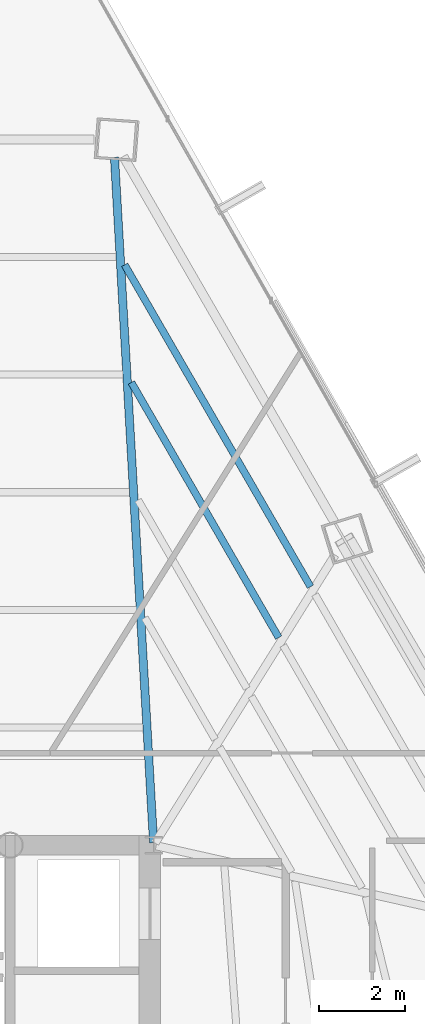
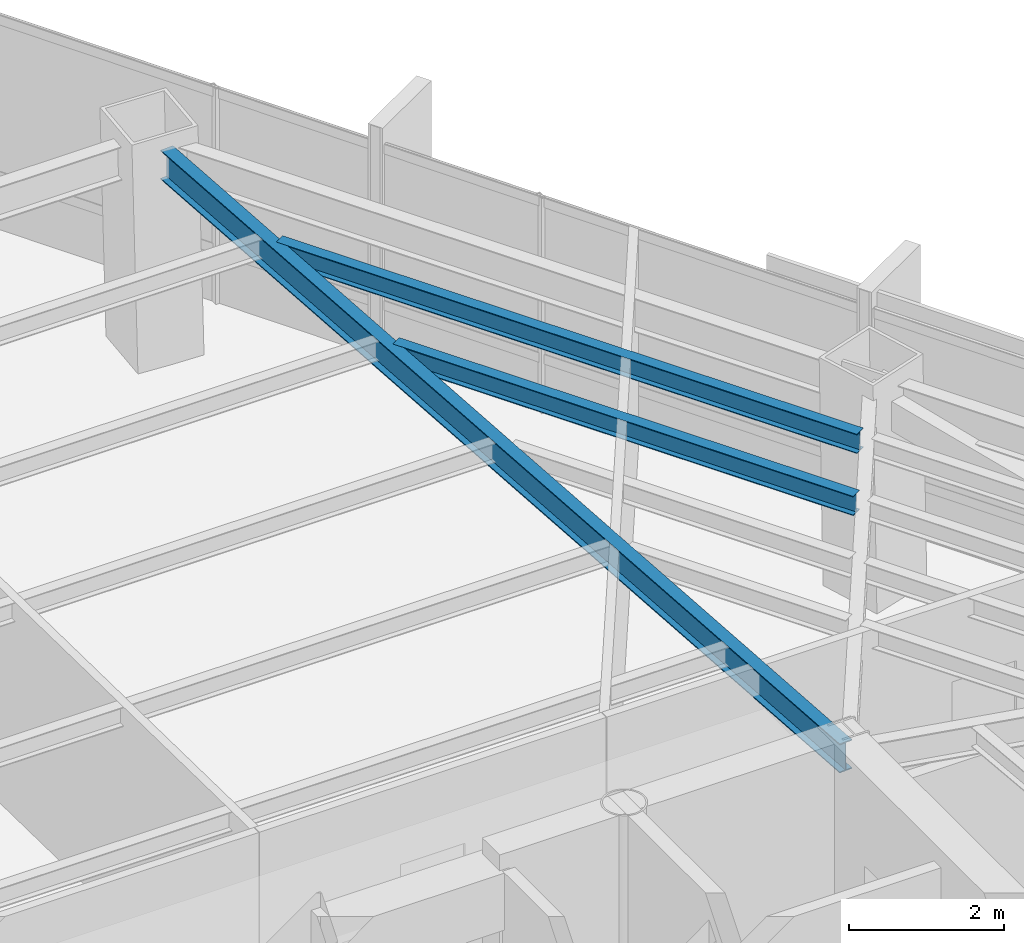
# One storey, part 30 of 39: 3 beams.
"""IFC4 building model written with IfcOpenShell, lengths in metres."""

from ifc_helpers import new_model, si_unit, direction, frame, origin, origin_2d, place, context, subcontext, project, spatial, i_section, extrude, source, transform, mapped, material, material_profile, profile_set, type_object, type_shapes, element, save


model = new_model("IFC4")

# Units and contexts
model_context = context("Model", 3, precision=1e-05, world=origin(), true_north=direction((0.0, 1.0)))
body_context = subcontext(model_context, "Body", "Model", "MODEL_VIEW")
ifc_project = project(units=[si_unit("LENGTHUNIT", "METRE"), si_unit("AREAUNIT", "SQUARE_METRE"), si_unit("VOLUMEUNIT", "CUBIC_METRE"), si_unit("PLANEANGLEUNIT", "RADIAN"), si_unit("MASSUNIT", "GRAM", prefix="KILO")], contexts=[model_context])

# Site, building, storey
site_placement = place(None, origin())
site = spatial("IfcSite", under=ifc_project, at=site_placement, CompositionType="ELEMENT")
building_placement = place(site_placement, origin())
building = spatial("IfcBuilding", under=site, at=building_placement, Name="Caelisora Broadcast Tower", CompositionType="ELEMENT")
storey_placement = place(building_placement, frame((0.0, 0.0, 139.10009765625)))
storey = spatial("IfcBuildingStorey", under=building, at=storey_placement, Name="L36", CompositionType="ELEMENT", Elevation=139.10009765625)

# Beams
ifc_material = material(Name="Steel Grade 350 (AS/NZS 3679.1)", Category="steel")
ifc_material_profile_1 = material_profile(ifc_material, i_section(OverallWidth=0.19091796875, OverallDepth=0.46044921875, WebThickness=0.010009765625, FlangeThickness=0.01611328125, at=origin_2d()), Name="Steel Grade 350 (AS/NZS 3679.1)")
ifc_profile_set_1 = profile_set([ifc_material_profile_1], Name="Steel Grade 350 (AS/NZS 3679.1)")
beam_type_1 = type_object("IfcBeamType", Name="PG06", PredefinedType="BEAM", material=ifc_profile_set_1)
shared_shape_1 = source(origin(), body_context, "Body", "SweptSolid", [
    extrude(i_section(OverallWidth=0.19091796875, OverallDepth=0.46044921875, WebThickness=0.010009765625, FlangeThickness=0.01611328125, at=origin_2d()), origin(), (0.0, 0.0, 1.0), 16.021484375),
])
type_shapes(beam_type_1, [shared_shape_1])
beam_1_placement = place(storey_placement, frame((45.49658203125, 30.059814453125, 3.169677734375), z_axis=(-0.056914828059, 0.998379037414, 0.0), x_axis=(-0.998379037414, -0.056914828059, 0.0)))
element("IfcBeam", 1, at=beam_1_placement, inside=storey, type_object=beam_type_1, Name="L36 beam PG06", PredefinedType="BEAM", context=body_context, shape_type="MappedRepresentation", body=[
    mapped(shared_shape_1, transform((0.0, 0.0, 0.0), scale=1.0)),
])
ifc_material_profile_2 = material_profile(ifc_material, i_section(OverallWidth=0.166015625, OverallDepth=0.30712890625, WebThickness=0.006591796875, FlangeThickness=0.01171875, at=origin_2d()), Name="Steel Grade 350 (AS/NZS 3679.1)")
ifc_profile_set_2 = profile_set([ifc_material_profile_2], Name="Steel Grade 350 (AS/NZS 3679.1)")
beam_type_2 = type_object("IfcBeamType", Name="SB03", PredefinedType="JOIST", material=ifc_profile_set_2)
shared_shape_2 = source(origin(), body_context, "Body", "SweptSolid", [
    extrude(i_section(OverallWidth=0.166015625, OverallDepth=0.30712890625, WebThickness=0.006591796875, FlangeThickness=0.01171875, at=origin_2d()), origin(), (0.0, 0.0, 1.0), 6.878173828125),
])
beam_2_placement = place(storey_placement, frame((48.41748046875, 34.84521484375, 3.246337890625), z_axis=(-0.499979522441, 0.866037226186, 0.0), x_axis=(-0.866037226186, -0.499979522441, 0.0)))
element("IfcBeam", 2, at=beam_2_placement, inside=storey, type_object=beam_type_2, Name="L36 beam SB03", PredefinedType="JOIST", context=body_context, shape_type="MappedRepresentation", body=[
    mapped(shared_shape_2, transform((0.0, 0.0, 0.0), scale=1.0)),
])
shared_shape_3 = source(origin(), body_context, "Body", "SweptSolid", [
    extrude(i_section(OverallWidth=0.166015625, OverallDepth=0.30712890625, WebThickness=0.006591796875, FlangeThickness=0.01171875, at=origin_2d()), origin(), (0.0, 0.0, 1.0), 8.676025390625),
])
type_shapes(beam_type_2, [shared_shape_2, shared_shape_3])
beam_3_placement = place(storey_placement, frame((49.16015625, 36.033935546875, 3.246337890625), z_axis=(-0.50000987935, 0.866019699864, 0.0), x_axis=(-0.866019699864, -0.50000987935, 0.0)))
element("IfcBeam", 3, at=beam_3_placement, inside=storey, type_object=beam_type_2, Name="L36 beam SB03", PredefinedType="JOIST", context=body_context, shape_type="MappedRepresentation", body=[
    mapped(shared_shape_3, transform((0.0, 0.0, 0.0), scale=1.0)),
])

save(model, "model.ifc")
